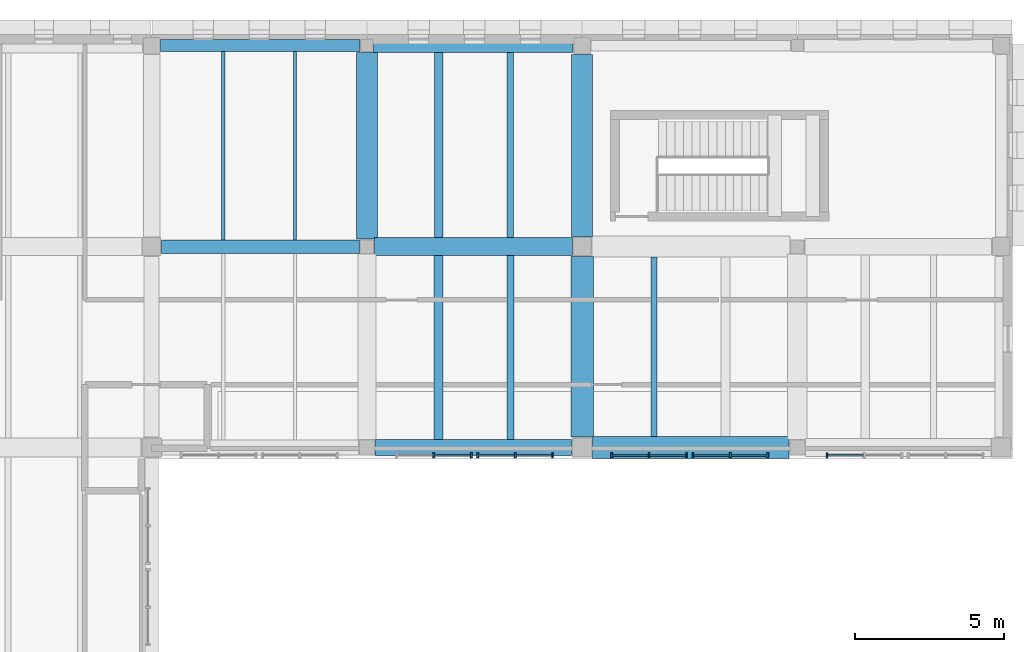
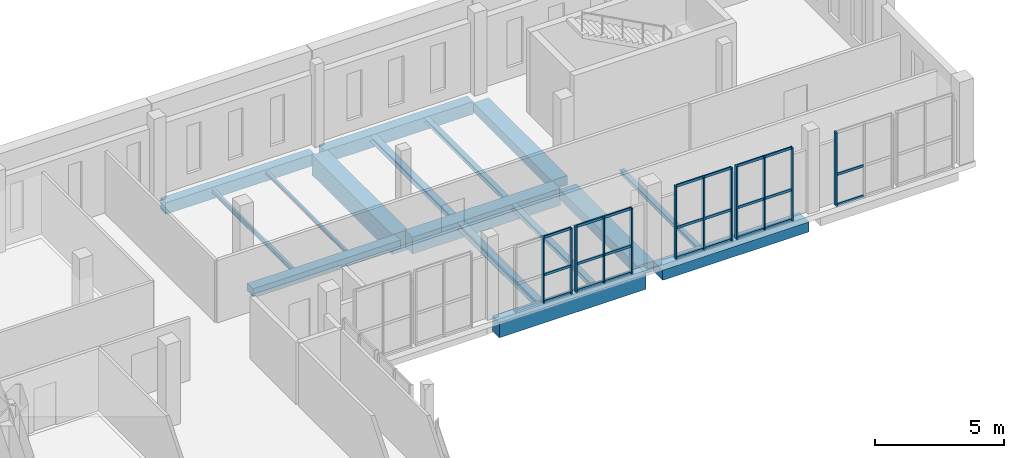
# One storey, part 26 of 76: 35 members, 16 beams, 5 elements without a shape of their own.
"""IFC4 building model written with IfcOpenShell, lengths in metres."""

from ifc_helpers import new_model, si_unit, direction, frame, origin, origin_2d, place, context, subcontext, project, spatial, rectangle, i_section, extrude, material, layer, layer_set, material_profile, profile_set, type_object, element, aggregate, save


model = new_model("IFC4")

# Units and contexts
model_context = context("Model", 3, precision=1e-05, world=origin(), true_north=direction((0.0, 1.0)))
body_context = subcontext(model_context, "Body", "Model", "MODEL_VIEW")
ifc_project = project(units=[si_unit("LENGTHUNIT", "METRE"), si_unit("AREAUNIT", "SQUARE_METRE"), si_unit("VOLUMEUNIT", "CUBIC_METRE"), si_unit("PLANEANGLEUNIT", "RADIAN"), si_unit("MASSUNIT", "GRAM", prefix="KILO")], contexts=[model_context])

# Site, building, storey
site_placement = place(None, origin())
site = spatial("IfcSite", under=ifc_project, at=site_placement, CompositionType="ELEMENT")
building_placement = place(site_placement, origin())
building = spatial("IfcBuilding", under=site, at=building_placement, Name="Vardoun Plaza Health Centre", CompositionType="ELEMENT")
storey_placement = place(building_placement, frame((0.0, 0.0, 4.5)))
storey = spatial("IfcBuildingStorey", under=building, at=storey_placement, Name="L01", CompositionType="ELEMENT", Elevation=4.5)

# Beams
ifc_material_1 = material(Name="Concrete C35/45", Category="concrete")
ifc_material_profile_1 = material_profile(ifc_material_1, rectangle(XDim=0.39990234375, YDim=0.550048828125, at=origin_2d()), Name="RC-BM 400x550")
ifc_profile_set_1 = profile_set([ifc_material_profile_1], Name="Concrete C35/45")
beam_type_1 = type_object("IfcBeamType", Name="B-09", PredefinedType="SPANDREL", material=ifc_profile_set_1)
beam_1_placement = place(storey_placement, frame((19.199951171875, 114.919921875, -0.5400390625), z_axis=(1.0, 0.0, 0.0), x_axis=(0.0, 1.0, 0.0)))
element("IfcBeam", 1, at=beam_1_placement, inside=storey, type_object=beam_type_1, Name="V3 L01 Beam B-V3-L01-X15", PredefinedType="SPANDREL", context=body_context, shape_type="SweptSolid", body=[
    extrude(rectangle(XDim=0.39990234375, YDim=0.550048828125, at=origin_2d()), origin(), (0.0, 0.0, 1.0), 6.675048828125),
])
ifc_material_2 = material(Name="Concrete C35/45", Category="concrete")
ifc_material_profile_2 = material_profile(ifc_material_2, rectangle(XDim=0.449951171875, YDim=0.3798828125, at=origin_2d()), Name="RC-BM 450x380")
ifc_profile_set_2 = profile_set([ifc_material_profile_2], Name="Concrete C35/45")
beam_type_2 = type_object("IfcBeamType", Name="B-01", PredefinedType="BEAM", material=ifc_profile_set_2)
beam_2_placement = place(storey_placement, frame((19.22509765625, 108.199951171875, -0.455078125), z_axis=(1.0, 0.0, 0.0), x_axis=(0.0, 1.0, 0.0)))
element("IfcBeam", 2, at=beam_2_placement, inside=storey, type_object=beam_type_2, Name="V3 L01 Beam B-V3-L01-X14", PredefinedType="BEAM", context=body_context, shape_type="SweptSolid", body=[
    extrude(rectangle(XDim=0.449951171875, YDim=0.3798828125, at=origin_2d()), origin(), (0.0, 0.0, 1.0), 6.625),
])
ifc_material_3 = material(Name="Concrete C35/45", Category="concrete")
ifc_material_profile_3 = material_profile(ifc_material_3, rectangle(XDim=0.449951171875, YDim=0.60009765625, at=origin_2d()), Name="RC-BM 450x600")
ifc_profile_set_3 = profile_set([ifc_material_profile_3], Name="Concrete C35/45")
beam_type_3 = type_object("IfcBeamType", Name="B-11", PredefinedType="SPANDREL", material=ifc_profile_set_3)
beam_3_placement = place(storey_placement, frame((26.324951171875, 114.919921875, -0.56494140625), z_axis=(1.0, 0.0, 0.0), x_axis=(0.0, 1.0, 0.0)))
element("IfcBeam", 3, at=beam_3_placement, inside=storey, type_object=beam_type_3, Name="V3 L01 Beam B-V3-L01-X18", PredefinedType="SPANDREL", context=body_context, shape_type="SweptSolid", body=[
    extrude(rectangle(XDim=0.449951171875, YDim=0.60009765625, at=origin_2d()), origin(), (0.0, 0.0, 1.0), 6.675048828125),
])
ifc_material_4 = material(Name="Concrete C40/50", Category="concrete")
ifc_material_profile_4 = material_profile(ifc_material_4, rectangle(XDim=0.550048828125, YDim=0.719970703125, at=origin_2d()), Name="RC-BM 550x720")
ifc_profile_set_4 = profile_set([ifc_material_profile_4], Name="Concrete C40/50")
beam_type_4 = type_object("IfcBeamType", Name="B-14", PredefinedType="BEAM", material=ifc_profile_set_4)
beam_4_placement = place(storey_placement, frame((26.375, 101.47998046875, -0.625), z_axis=(1.0, 0.0, 0.0), x_axis=(0.0, 1.0, 0.0)))
element("IfcBeam", 4, at=beam_4_placement, inside=storey, type_object=beam_type_4, Name="V3 L01 Beam B-V3-L01-X16", PredefinedType="BEAM", context=body_context, shape_type="SweptSolid", body=[
    extrude(rectangle(XDim=0.550048828125, YDim=0.719970703125, at=origin_2d()), origin(), (0.0, 0.0, 1.0), 6.574951171875),
])
ifc_material_5 = material(Name="Concrete C40/50", Category="concrete")
ifc_material_profile_5 = material_profile(ifc_material_5, rectangle(XDim=0.60009765625, YDim=0.800048828125, at=origin_2d()), Name="RC-BM 600x800")
ifc_profile_set_5 = profile_set([ifc_material_profile_5], Name="Concrete C40/50")
beam_type_5 = type_object("IfcBeamType", Name="B-15", PredefinedType="JOIST", material=ifc_profile_set_5)
beam_5_placement = place(storey_placement, frame((26.35009765625, 108.199951171875, -0.6650390625), z_axis=(1.0, 0.0, 0.0), x_axis=(0.0, 1.0, 0.0)))
element("IfcBeam", 5, at=beam_5_placement, inside=storey, type_object=beam_type_5, Name="V3 L01 Beam B-V3-L01-X17", PredefinedType="JOIST", context=body_context, shape_type="SweptSolid", body=[
    extrude(rectangle(XDim=0.60009765625, YDim=0.800048828125, at=origin_2d()), origin(), (0.0, 0.0, 1.0), 6.625),
])
ifc_material_6 = material(Name="Concrete C35/45", Category="concrete")
ifc_material_profile_6 = material_profile(ifc_material_6, rectangle(XDim=0.699951171875, YDim=0.449951171875, at=origin_2d()), Name="RC-BM 700x450")
ifc_profile_set_6 = profile_set([ifc_material_profile_6], Name="Concrete C35/45")
beam_type_6 = type_object("IfcBeamType", Name="B-06", PredefinedType="BEAM", material=ifc_profile_set_6)
beam_6_placement = place(storey_placement, frame((33.300048828125, 108.525146484375, -0.489990234375), z_axis=(0.0, 1.0, 0.0), x_axis=(-1.0, 0.0, 0.0)))
element("IfcBeam", 6, at=beam_6_placement, inside=storey, type_object=beam_type_6, Name="V3 L01 Beam B-V3-L01-Y42", PredefinedType="BEAM", context=body_context, shape_type="SweptSolid", body=[
    extrude(rectangle(XDim=0.699951171875, YDim=0.449951171875, at=origin_2d()), origin(), (0.0, 0.0, 1.0), 6.094970703125),
])
ifc_material_7 = material(Name="Concrete C40/50", Category="concrete")
ifc_material_profile_7 = material_profile(ifc_material_7, rectangle(XDim=0.699951171875, YDim=0.949951171875, at=origin_2d()), Name="RC-BM 700x950")
ifc_profile_set_7 = profile_set([ifc_material_profile_7], Name="Concrete C40/50")
beam_type_7 = type_object("IfcBeamType", Name="B-16", PredefinedType="LINTEL", material=ifc_profile_set_7)
beam_7_placement = place(storey_placement, frame((26.10009765625, 108.449951171875, -0.739990234375), z_axis=(0.0, 1.0, 0.0), x_axis=(-1.0, 0.0, 0.0)))
element("IfcBeam", 7, at=beam_7_placement, inside=storey, type_object=beam_type_7, Name="V3 L01 Beam B-V3-L01-Y40", PredefinedType="LINTEL", context=body_context, shape_type="SweptSolid", body=[
    extrude(rectangle(XDim=0.699951171875, YDim=0.949951171875, at=origin_2d()), origin(), (0.0, 0.0, 1.0), 6.2451171875),
])
ifc_material_8 = material(Name="Concrete C35/45", Category="concrete")
ifc_material_profile_8 = material_profile(ifc_material_8, rectangle(XDim=0.75, YDim=0.47998046875, at=origin_2d()), Name="RC-BM 750x480")
ifc_profile_set_8 = profile_set([ifc_material_profile_8], Name="Concrete C35/45")
beam_type_8 = type_object("IfcBeamType", Name="B-07", PredefinedType="BEAM", material=ifc_profile_set_8)
beam_8_placement = place(storey_placement, frame((33.650146484375, 101.47998046875, -0.5048828125), z_axis=(1.0, 0.0, 0.0), x_axis=(0.0, 1.0, 0.0)))
element("IfcBeam", 8, at=beam_8_placement, inside=storey, type_object=beam_type_8, Name="V3 L01 Beam B-V3-L01-X19", PredefinedType="BEAM", context=body_context, shape_type="SweptSolid", body=[
    extrude(rectangle(XDim=0.75, YDim=0.47998046875, at=origin_2d()), origin(), (0.0, 0.0, 1.0), 6.574951171875),
])
beam_9_placement = place(storey_placement, frame((33.300048828125, 101.830078125, -0.5048828125), z_axis=(0.0, 1.0, 0.0), x_axis=(-1.0, 0.0, 0.0)))
element("IfcBeam", 9, at=beam_9_placement, inside=storey, type_object=beam_type_8, Name="V3 L01 Beam B-V3-L01-Y41", PredefinedType="BEAM", context=body_context, shape_type="SweptSolid", body=[
    extrude(rectangle(XDim=0.75, YDim=0.47998046875, at=origin_2d()), origin(), (0.0, 0.0, 1.0), 6.044921875),
])
ifc_material_9 = material(Name="Steel S355J2", Category="steel")
ifc_material_profile_9 = material_profile(ifc_material_9, i_section(OverallWidth=0.199951171875, OverallDepth=0.18994140625, WebThickness=0.006591796875, FlangeThickness=0.010009765625, FilletRadius=0.01806640625, at=origin_2d()), Name="HEA 200")
ifc_profile_set_9 = profile_set([ifc_material_profile_9], Name="Steel S355J2")
beam_type_9 = type_object("IfcBeamType", Name="SB-09", PredefinedType="BEAM", material=ifc_profile_set_9)
beam_10_placement = place(storey_placement, frame((35.69970703125, 101.85498046875, -0.360107421875), z_axis=(0.0, 1.0, 0.0), x_axis=(-1.0, 0.0, 0.0)))
element("IfcBeam", 10, at=beam_10_placement, inside=storey, type_object=beam_type_9, Name="V3 L01 Secondary Floor Beam SJ-V3-L01-25", PredefinedType="BEAM", context=body_context, shape_type="SweptSolid", body=[
    extrude(i_section(OverallWidth=0.199951171875, OverallDepth=0.18994140625, WebThickness=0.006591796875, FlangeThickness=0.010009765625, FilletRadius=0.01806640625, at=origin_2d()), origin(), (0.0, 0.0, 1.0), 5.9951171875),
])
ifc_material_10 = material(Name="Steel S355J2", Category="steel")
ifc_material_profile_10 = material_profile(ifc_material_10, i_section(OverallWidth=0.219970703125, OverallDepth=0.2099609375, WebThickness=0.007080078125, FlangeThickness=0.010986328125, FilletRadius=0.01806640625, at=origin_2d()), Name="HEA 220")
ifc_profile_set_10 = profile_set([ifc_material_profile_10], Name="Steel S355J2")
beam_type_10 = type_object("IfcBeamType", Name="SB-08", PredefinedType="BEAM", material=ifc_profile_set_10)
beam_11_placement = place(storey_placement, frame((30.900146484375, 108.5, -0.3701171875), z_axis=(0.0, 1.0, 0.0), x_axis=(-1.0, 0.0, 0.0)))
element("IfcBeam", 11, at=beam_11_placement, inside=storey, type_object=beam_type_10, Name="V3 L01 Secondary Floor Beam SJ-V3-L01-24", PredefinedType="BEAM", context=body_context, shape_type="SweptSolid", body=[
    extrude(i_section(OverallWidth=0.219970703125, OverallDepth=0.2099609375, WebThickness=0.007080078125, FlangeThickness=0.010986328125, FilletRadius=0.01806640625, at=origin_2d()), origin(), (0.0, 0.0, 1.0), 6.195068359375),
])
ifc_material_11 = material(Name="Steel S355J2", Category="steel")
ifc_material_profile_11 = material_profile(ifc_material_11, i_section(OverallWidth=0.239990234375, OverallDepth=0.22998046875, WebThickness=0.007568359375, FlangeThickness=0.011962890625, FilletRadius=0.02099609375, at=origin_2d()), Name="HEA 240")
ifc_profile_set_11 = profile_set([ifc_material_profile_11], Name="Steel S355J2")
beam_type_11 = type_object("IfcBeamType", Name="SB-07", PredefinedType="BEAM", material=ifc_profile_set_11)
beam_12_placement = place(storey_placement, frame((30.900146484375, 101.7548828125, -0.3798828125), z_axis=(0.0, 1.0, 0.0), x_axis=(-1.0, 0.0, 0.0)))
element("IfcBeam", 12, at=beam_12_placement, inside=storey, type_object=beam_type_11, Name="V3 L01 Secondary Floor Beam SJ-V3-L01-23", PredefinedType="BEAM", context=body_context, shape_type="SweptSolid", body=[
    extrude(i_section(OverallWidth=0.239990234375, OverallDepth=0.22998046875, WebThickness=0.007568359375, FlangeThickness=0.011962890625, FilletRadius=0.02099609375, at=origin_2d()), origin(), (0.0, 0.0, 1.0), 6.145263671875),
])
ifc_material_12 = material(Name="Steel S355J2", Category="steel")
ifc_material_profile_12 = material_profile(ifc_material_12, i_section(OverallWidth=0.280029296875, OverallDepth=0.27001953125, WebThickness=0.008056640625, FlangeThickness=0.012939453125, FilletRadius=0.02392578125, at=origin_2d()), Name="HEA 280")
ifc_profile_set_12 = profile_set([ifc_material_profile_12], Name="Steel S355J2")
beam_type_12 = type_object("IfcBeamType", Name="SB-06", PredefinedType="BEAM", material=ifc_profile_set_12)
beam_13_placement = place(storey_placement, frame((28.499755859375, 108.5, -0.39990234375), z_axis=(0.0, 1.0, 0.0), x_axis=(-1.0, 0.0, 0.0)))
element("IfcBeam", 13, at=beam_13_placement, inside=storey, type_object=beam_type_12, Name="V3 L01 Secondary Floor Beam SJ-V3-L01-22", PredefinedType="BEAM", context=body_context, shape_type="SweptSolid", body=[
    extrude(i_section(OverallWidth=0.280029296875, OverallDepth=0.27001953125, WebThickness=0.008056640625, FlangeThickness=0.012939453125, FilletRadius=0.02392578125, at=origin_2d()), origin(), (0.0, 0.0, 1.0), 6.195068359375),
])
ifc_material_13 = material(Name="Steel S355J2", Category="steel")
ifc_material_profile_13 = material_profile(ifc_material_13, i_section(OverallWidth=0.300048828125, OverallDepth=0.330078125, WebThickness=0.009521484375, FlangeThickness=0.0166015625, FilletRadius=0.027099609375, at=origin_2d()), Name="HEA 340")
ifc_profile_set_13 = profile_set([ifc_material_profile_13], Name="Steel S355J2")
beam_type_13 = type_object("IfcBeamType", Name="SB-04", PredefinedType="BEAM", material=ifc_profile_set_13)
beam_14_placement = place(storey_placement, frame((28.499755859375, 101.7548828125, -0.429931640625), z_axis=(0.0, 1.0, 0.0), x_axis=(-1.0, 0.0, 0.0)))
element("IfcBeam", 14, at=beam_14_placement, inside=storey, type_object=beam_type_13, Name="V3 L01 Secondary Floor Beam SJ-V3-L01-21", PredefinedType="BEAM", context=body_context, shape_type="SweptSolid", body=[
    extrude(i_section(OverallWidth=0.300048828125, OverallDepth=0.330078125, WebThickness=0.009521484375, FlangeThickness=0.0166015625, FilletRadius=0.027099609375, at=origin_2d()), origin(), (0.0, 0.0, 1.0), 6.145263671875),
])
ifc_material_14 = material(Name="Steel S355J2", Category="steel")
ifc_material_profile_14 = material_profile(ifc_material_14, i_section(OverallWidth=0.091064453125, OverallDepth=0.179931640625, WebThickness=0.00537109375, FlangeThickness=0.008056640625, FilletRadius=0.009033203125, at=origin_2d()), Name="IPE 180")
ifc_profile_set_14 = profile_set([ifc_material_profile_14], Name="Steel S355J2")
beam_type_14 = type_object("IfcBeamType", Name="SB-20", PredefinedType="SPANDREL", material=ifc_profile_set_14)
beam_15_placement = place(storey_placement, frame((23.7001953125, 108.425048828125, -0.35498046875), z_axis=(0.0, 1.0, 0.0), x_axis=(-1.0, 0.0, 0.0)))
element("IfcBeam", 15, at=beam_15_placement, inside=storey, type_object=beam_type_14, Name="V3 L01 Secondary Floor Beam SJ-V3-L01-20", PredefinedType="SPANDREL", context=body_context, shape_type="SweptSolid", body=[
    extrude(i_section(OverallWidth=0.091064453125, OverallDepth=0.179931640625, WebThickness=0.00537109375, FlangeThickness=0.008056640625, FilletRadius=0.009033203125, at=origin_2d()), origin(), (0.0, 0.0, 1.0), 6.294921875),
])
ifc_material_15 = material(Name="Steel S355J2", Category="steel")
ifc_material_profile_15 = material_profile(ifc_material_15, i_section(OverallWidth=0.110107421875, OverallDepth=0.219970703125, WebThickness=0.005859375, FlangeThickness=0.00927734375, FilletRadius=0.011962890625, at=origin_2d()), Name="IPE 220")
ifc_profile_set_15 = profile_set([ifc_material_profile_15], Name="Steel S355J2")
beam_type_15 = type_object("IfcBeamType", Name="SB-18", PredefinedType="JOIST", material=ifc_profile_set_15)
beam_16_placement = place(storey_placement, frame((21.2998046875, 108.425048828125, -0.375), z_axis=(0.0, 1.0, 0.0), x_axis=(-1.0, 0.0, 0.0)))
element("IfcBeam", 16, at=beam_16_placement, inside=storey, type_object=beam_type_15, Name="V3 L01 Secondary Floor Beam SJ-V3-L01-18", PredefinedType="JOIST", context=body_context, shape_type="SweptSolid", body=[
    extrude(i_section(OverallWidth=0.110107421875, OverallDepth=0.219970703125, WebThickness=0.005859375, FlangeThickness=0.00927734375, FilletRadius=0.011962890625, at=origin_2d()), origin(), (0.0, 0.0, 1.0), 6.294921875),
])

# Curtain wall, member
ifc_material_16 = material(Name="Aluminium Alloy EN AW-6063-T6 and Low-E Glass", Category="aluminium")
ifc_layer = layer(ifc_material_16, 0.159912109375)
ifc_layer_set = layer_set([ifc_layer], Name="Aluminium Alloy EN AW-6063-T6 and Low-E Glass")
curtain_wall_type = type_object("IfcCurtainWallType", Name="CW-02", PredefinedType="USERDEFINED", material=ifc_layer_set)
curtain_wall_1_placement = place(storey_placement, origin())
curtain_wall_1 = element("IfcCurtainWall", 17, at=curtain_wall_1_placement, inside=storey, type_object=curtain_wall_type, Name="Curtain Wall CW-V3-060", ObjectType="COURTYARD_CURTAIN_WALL", PredefinedType="USERDEFINED")
ifc_material_17 = material(Name="Aluminium Alloy EN AW-6063-T6", Category="aluminium")
ifc_material_profile_16 = material_profile(ifc_material_17, rectangle(XDim=0.159912109375, YDim=0.06005859375, at=origin_2d()), Name="CWM 60x160")
ifc_profile_set_16 = profile_set([ifc_material_profile_16], Name="Aluminium Alloy EN AW-6063-T6")
member_type_1 = type_object("IfcMemberType", Name="CW-M1", PredefinedType="MULLION", material=ifc_profile_set_16)
member_1_placement = place(storey_placement, frame((41.489990234375, 101.219970703125, 0.0), z_axis=(0.0, 0.0, 1.0), x_axis=(0.0, -1.0, 0.0)))
member_1 = element("IfcMember", 18, at=member_1_placement, type_object=member_type_1, Name="CW-V3-060 mullion 3", PredefinedType="MULLION", context=body_context, shape_type="SweptSolid", body=[
    extrude(rectangle(XDim=0.159912109375, YDim=0.06005859375, at=origin_2d()), origin(), (0.0, 0.0, 1.0), 3.5),
])

# Curtain wall, members
curtain_wall_2_placement = place(storey_placement, origin())
curtain_wall_2 = element("IfcCurtainWall", 19, at=curtain_wall_2_placement, inside=storey, type_object=curtain_wall_type, Name="Curtain Wall CW-V3-061", ObjectType="COURTYARD_CURTAIN_WALL", PredefinedType="USERDEFINED")
member_2_placement = place(storey_placement, frame((39.510009765625, 101.219970703125, 0.0), z_axis=(0.0, 0.0, 1.0), x_axis=(0.0, -1.0, 0.0)))
member_2 = element("IfcMember", 20, at=member_2_placement, type_object=member_type_1, Name="CW-V3-061 mullion 1", PredefinedType="MULLION", context=body_context, shape_type="SweptSolid", body=[
    extrude(rectangle(XDim=0.159912109375, YDim=0.06005859375, at=origin_2d()), origin(), (0.0, 0.0, 1.0), 3.469970703125),
])
member_3_placement = place(storey_placement, frame((38.260009765625, 101.219970703125, 0.0), z_axis=(0.0, 0.0, 1.0), x_axis=(0.0, -1.0, 0.0)))
member_3 = element("IfcMember", 21, at=member_3_placement, type_object=member_type_1, Name="CW-V3-061 mullion 2", PredefinedType="MULLION", context=body_context, shape_type="SweptSolid", body=[
    extrude(rectangle(XDim=0.159912109375, YDim=0.06005859375, at=origin_2d()), origin(), (0.0, 0.0, 1.0), 3.469970703125),
])
member_4_placement = place(storey_placement, frame((37.010009765625, 101.219970703125, 0.0), z_axis=(0.0, 0.0, 1.0), x_axis=(0.0, -1.0, 0.0)))
member_4 = element("IfcMember", 22, at=member_4_placement, type_object=member_type_1, Name="CW-V3-061 mullion 3", PredefinedType="MULLION", context=body_context, shape_type="SweptSolid", body=[
    extrude(rectangle(XDim=0.159912109375, YDim=0.06005859375, at=origin_2d()), origin(), (0.0, 0.0, 1.0), 3.469970703125),
])

curtain_wall_3_placement = place(storey_placement, origin())
curtain_wall_3 = element("IfcCurtainWall", 23, at=curtain_wall_3_placement, inside=storey, type_object=curtain_wall_type, Name="Curtain Wall CW-V3-062", ObjectType="COURTYARD_CURTAIN_WALL", PredefinedType="USERDEFINED")
member_5_placement = place(storey_placement, frame((36.7900390625, 101.219970703125, 0.0), z_axis=(0.0, 0.0, 1.0), x_axis=(0.0, -1.0, 0.0)))
member_5 = element("IfcMember", 24, at=member_5_placement, type_object=member_type_1, Name="CW-V3-062 mullion 1", PredefinedType="MULLION", context=body_context, shape_type="SweptSolid", body=[
    extrude(rectangle(XDim=0.159912109375, YDim=0.06005859375, at=origin_2d()), origin(), (0.0, 0.0, 1.0), 3.469970703125),
])
member_6_placement = place(storey_placement, frame((35.5400390625, 101.219970703125, 0.0), z_axis=(0.0, 0.0, 1.0), x_axis=(0.0, -1.0, 0.0)))
member_6 = element("IfcMember", 25, at=member_6_placement, type_object=member_type_1, Name="CW-V3-062 mullion 2", PredefinedType="MULLION", context=body_context, shape_type="SweptSolid", body=[
    extrude(rectangle(XDim=0.159912109375, YDim=0.06005859375, at=origin_2d()), origin(), (0.0, 0.0, 1.0), 3.469970703125),
])
member_7_placement = place(storey_placement, frame((34.2900390625, 101.219970703125, 0.0), z_axis=(0.0, 0.0, 1.0), x_axis=(0.0, -1.0, 0.0)))
member_7 = element("IfcMember", 26, at=member_7_placement, type_object=member_type_1, Name="CW-V3-062 mullion 3", PredefinedType="MULLION", context=body_context, shape_type="SweptSolid", body=[
    extrude(rectangle(XDim=0.159912109375, YDim=0.06005859375, at=origin_2d()), origin(), (0.0, 0.0, 1.0), 3.469970703125),
])

curtain_wall_4_placement = place(storey_placement, origin())
curtain_wall_4 = element("IfcCurtainWall", 27, at=curtain_wall_4_placement, inside=storey, type_object=curtain_wall_type, Name="Curtain Wall CW-V3-063", ObjectType="COURTYARD_CURTAIN_WALL", PredefinedType="USERDEFINED")
member_8_placement = place(storey_placement, frame((32.31005859375, 101.219970703125, 0.0), z_axis=(0.0, 0.0, 1.0), x_axis=(0.0, -1.0, 0.0)))
member_8 = element("IfcMember", 28, at=member_8_placement, type_object=member_type_1, Name="CW-V3-063 mullion 1", PredefinedType="MULLION", context=body_context, shape_type="SweptSolid", body=[
    extrude(rectangle(XDim=0.159912109375, YDim=0.06005859375, at=origin_2d()), origin(), (0.0, 0.0, 1.0), 3.1201171875),
])
member_9_placement = place(storey_placement, frame((31.06005859375, 101.219970703125, 0.0), z_axis=(0.0, 0.0, 1.0), x_axis=(0.0, -1.0, 0.0)))
member_9 = element("IfcMember", 29, at=member_9_placement, type_object=member_type_1, Name="CW-V3-063 mullion 2", PredefinedType="MULLION", context=body_context, shape_type="SweptSolid", body=[
    extrude(rectangle(XDim=0.159912109375, YDim=0.06005859375, at=origin_2d()), origin(), (0.0, 0.0, 1.0), 3.1201171875),
])
member_10_placement = place(storey_placement, frame((29.81005859375, 101.219970703125, 0.0), z_axis=(0.0, 0.0, 1.0), x_axis=(0.0, -1.0, 0.0)))
member_10 = element("IfcMember", 30, at=member_10_placement, type_object=member_type_1, Name="CW-V3-063 mullion 3", PredefinedType="MULLION", context=body_context, shape_type="SweptSolid", body=[
    extrude(rectangle(XDim=0.159912109375, YDim=0.06005859375, at=origin_2d()), origin(), (0.0, 0.0, 1.0), 3.1201171875),
])

curtain_wall_5_placement = place(storey_placement, origin())
curtain_wall_5 = element("IfcCurtainWall", 31, at=curtain_wall_5_placement, inside=storey, type_object=curtain_wall_type, Name="Curtain Wall CW-V3-064", ObjectType="COURTYARD_CURTAIN_WALL", PredefinedType="USERDEFINED")
member_11_placement = place(storey_placement, frame((29.590087890625, 101.219970703125, 0.0), z_axis=(0.0, 0.0, 1.0), x_axis=(0.0, -1.0, 0.0)))
member_11 = element("IfcMember", 32, at=member_11_placement, type_object=member_type_1, Name="CW-V3-064 mullion 1", PredefinedType="MULLION", context=body_context, shape_type="SweptSolid", body=[
    extrude(rectangle(XDim=0.159912109375, YDim=0.06005859375, at=origin_2d()), origin(), (0.0, 0.0, 1.0), 3.1201171875),
])
member_12_placement = place(storey_placement, frame((28.340087890625, 101.219970703125, 0.0), z_axis=(0.0, 0.0, 1.0), x_axis=(0.0, -1.0, 0.0)))
member_12 = element("IfcMember", 33, at=member_12_placement, type_object=member_type_1, Name="CW-V3-064 mullion 2", PredefinedType="MULLION", context=body_context, shape_type="SweptSolid", body=[
    extrude(rectangle(XDim=0.159912109375, YDim=0.06005859375, at=origin_2d()), origin(), (0.0, 0.0, 1.0), 3.1201171875),
])

# Member
ifc_material_18 = material(Name="Aluminium Alloy EN AW-6063-T6", Category="aluminium")
ifc_material_profile_17 = material_profile(ifc_material_18, rectangle(XDim=0.06005859375, YDim=0.1201171875, at=origin_2d()), Name="CWT 60x120")
ifc_profile_set_17 = profile_set([ifc_material_profile_17], Name="Aluminium Alloy EN AW-6063-T6")
member_type_2 = type_object("IfcMemberType", Name="CW-T1", PredefinedType="USERDEFINED", material=ifc_profile_set_17)
member_13_placement = place(storey_placement, frame((42.7099609375, 101.219970703125, 0.030029296875), z_axis=(-1.0, 0.0, 0.0), x_axis=(0.0, -1.0, 0.0)))
member_13 = element("IfcMember", 34, at=member_13_placement, type_object=member_type_2, Name="CW-V3-060 transom 2.1", ObjectType="TRANSOM", PredefinedType="USERDEFINED", context=body_context, shape_type="SweptSolid", body=[
    extrude(rectangle(XDim=0.06005859375, YDim=0.1201171875, at=origin_2d()), origin(), (0.0, 0.0, 1.0), 1.18994140625),
])

member_14_placement = place(storey_placement, frame((42.7099609375, 101.219970703125, 1.469970703125), z_axis=(-1.0, 0.0, 0.0), x_axis=(0.0, -1.0, 0.0)))
member_14 = element("IfcMember", 35, at=member_14_placement, type_object=member_type_2, Name="CW-V3-060 transom 2.2", ObjectType="TRANSOM", PredefinedType="USERDEFINED", context=body_context, shape_type="SweptSolid", body=[
    extrude(rectangle(XDim=0.06005859375, YDim=0.1201171875, at=origin_2d()), origin(), (0.0, 0.0, 1.0), 1.18994140625),
])

aggregate(curtain_wall_1, [member_1, member_13, member_14])

member_15_placement = place(storey_placement, frame((39.47998046875, 101.219970703125, 0.030029296875), z_axis=(-1.0, 0.0, 0.0), x_axis=(0.0, -1.0, 0.0)))
member_15 = element("IfcMember", 36, at=member_15_placement, type_object=member_type_2, Name="CW-V3-061 transom 1.1", ObjectType="TRANSOM", PredefinedType="USERDEFINED", context=body_context, shape_type="SweptSolid", body=[
    extrude(rectangle(XDim=0.06005859375, YDim=0.1201171875, at=origin_2d()), origin(), (0.0, 0.0, 1.0), 1.18994140625),
])

member_16_placement = place(storey_placement, frame((39.47998046875, 101.219970703125, 1.45751953125), z_axis=(-1.0, 0.0, 0.0), x_axis=(0.0, -1.0, 0.0)))
member_16 = element("IfcMember", 37, at=member_16_placement, type_object=member_type_2, Name="CW-V3-061 transom 1.2", ObjectType="TRANSOM", PredefinedType="USERDEFINED", context=body_context, shape_type="SweptSolid", body=[
    extrude(rectangle(XDim=0.06005859375, YDim=0.1201171875, at=origin_2d()), origin(), (0.0, 0.0, 1.0), 1.18994140625),
])

member_17_placement = place(storey_placement, frame((39.47998046875, 101.219970703125, 3.43994140625), z_axis=(-1.0, 0.0, 0.0), x_axis=(0.0, -1.0, 0.0)))
member_17 = element("IfcMember", 38, at=member_17_placement, type_object=member_type_2, Name="CW-V3-061 transom 1.3", ObjectType="TRANSOM", PredefinedType="USERDEFINED", context=body_context, shape_type="SweptSolid", body=[
    extrude(rectangle(XDim=0.06005859375, YDim=0.1201171875, at=origin_2d()), origin(), (0.0, 0.0, 1.0), 1.18994140625),
])

member_18_placement = place(storey_placement, frame((38.22998046875, 101.219970703125, 0.030029296875), z_axis=(-1.0, 0.0, 0.0), x_axis=(0.0, -1.0, 0.0)))
member_18 = element("IfcMember", 39, at=member_18_placement, type_object=member_type_2, Name="CW-V3-061 transom 2.1", ObjectType="TRANSOM", PredefinedType="USERDEFINED", context=body_context, shape_type="SweptSolid", body=[
    extrude(rectangle(XDim=0.06005859375, YDim=0.1201171875, at=origin_2d()), origin(), (0.0, 0.0, 1.0), 1.18994140625),
])

member_19_placement = place(storey_placement, frame((38.22998046875, 101.219970703125, 1.45751953125), z_axis=(-1.0, 0.0, 0.0), x_axis=(0.0, -1.0, 0.0)))
member_19 = element("IfcMember", 40, at=member_19_placement, type_object=member_type_2, Name="CW-V3-061 transom 2.2", ObjectType="TRANSOM", PredefinedType="USERDEFINED", context=body_context, shape_type="SweptSolid", body=[
    extrude(rectangle(XDim=0.06005859375, YDim=0.1201171875, at=origin_2d()), origin(), (0.0, 0.0, 1.0), 1.18994140625),
])

member_20_placement = place(storey_placement, frame((38.22998046875, 101.219970703125, 3.43994140625), z_axis=(-1.0, 0.0, 0.0), x_axis=(0.0, -1.0, 0.0)))
member_20 = element("IfcMember", 41, at=member_20_placement, type_object=member_type_2, Name="CW-V3-061 transom 2.3", ObjectType="TRANSOM", PredefinedType="USERDEFINED", context=body_context, shape_type="SweptSolid", body=[
    extrude(rectangle(XDim=0.06005859375, YDim=0.1201171875, at=origin_2d()), origin(), (0.0, 0.0, 1.0), 1.18994140625),
])

aggregate(curtain_wall_2, [member_2, member_3, member_4, member_15, member_16, member_17, member_18, member_19, member_20])

member_21_placement = place(storey_placement, frame((36.760009765625, 101.219970703125, 0.030029296875), z_axis=(-1.0, 0.0, 0.0), x_axis=(0.0, -1.0, 0.0)))
member_21 = element("IfcMember", 42, at=member_21_placement, type_object=member_type_2, Name="CW-V3-062 transom 1.1", ObjectType="TRANSOM", PredefinedType="USERDEFINED", context=body_context, shape_type="SweptSolid", body=[
    extrude(rectangle(XDim=0.06005859375, YDim=0.1201171875, at=origin_2d()), origin(), (0.0, 0.0, 1.0), 1.18994140625),
])

member_22_placement = place(storey_placement, frame((36.760009765625, 101.219970703125, 1.45751953125), z_axis=(-1.0, 0.0, 0.0), x_axis=(0.0, -1.0, 0.0)))
member_22 = element("IfcMember", 43, at=member_22_placement, type_object=member_type_2, Name="CW-V3-062 transom 1.2", ObjectType="TRANSOM", PredefinedType="USERDEFINED", context=body_context, shape_type="SweptSolid", body=[
    extrude(rectangle(XDim=0.06005859375, YDim=0.1201171875, at=origin_2d()), origin(), (0.0, 0.0, 1.0), 1.18994140625),
])

member_23_placement = place(storey_placement, frame((36.760009765625, 101.219970703125, 3.43994140625), z_axis=(-1.0, 0.0, 0.0), x_axis=(0.0, -1.0, 0.0)))
member_23 = element("IfcMember", 44, at=member_23_placement, type_object=member_type_2, Name="CW-V3-062 transom 1.3", ObjectType="TRANSOM", PredefinedType="USERDEFINED", context=body_context, shape_type="SweptSolid", body=[
    extrude(rectangle(XDim=0.06005859375, YDim=0.1201171875, at=origin_2d()), origin(), (0.0, 0.0, 1.0), 1.18994140625),
])

member_24_placement = place(storey_placement, frame((35.510009765625, 101.219970703125, 0.030029296875), z_axis=(-1.0, 0.0, 0.0), x_axis=(0.0, -1.0, 0.0)))
member_24 = element("IfcMember", 45, at=member_24_placement, type_object=member_type_2, Name="CW-V3-062 transom 2.1", ObjectType="TRANSOM", PredefinedType="USERDEFINED", context=body_context, shape_type="SweptSolid", body=[
    extrude(rectangle(XDim=0.06005859375, YDim=0.1201171875, at=origin_2d()), origin(), (0.0, 0.0, 1.0), 1.18994140625),
])

member_25_placement = place(storey_placement, frame((35.510009765625, 101.219970703125, 1.45751953125), z_axis=(-1.0, 0.0, 0.0), x_axis=(0.0, -1.0, 0.0)))
member_25 = element("IfcMember", 46, at=member_25_placement, type_object=member_type_2, Name="CW-V3-062 transom 2.2", ObjectType="TRANSOM", PredefinedType="USERDEFINED", context=body_context, shape_type="SweptSolid", body=[
    extrude(rectangle(XDim=0.06005859375, YDim=0.1201171875, at=origin_2d()), origin(), (0.0, 0.0, 1.0), 1.18994140625),
])

member_26_placement = place(storey_placement, frame((35.510009765625, 101.219970703125, 3.43994140625), z_axis=(-1.0, 0.0, 0.0), x_axis=(0.0, -1.0, 0.0)))
member_26 = element("IfcMember", 47, at=member_26_placement, type_object=member_type_2, Name="CW-V3-062 transom 2.3", ObjectType="TRANSOM", PredefinedType="USERDEFINED", context=body_context, shape_type="SweptSolid", body=[
    extrude(rectangle(XDim=0.06005859375, YDim=0.1201171875, at=origin_2d()), origin(), (0.0, 0.0, 1.0), 1.18994140625),
])

aggregate(curtain_wall_3, [member_5, member_6, member_7, member_21, member_22, member_23, member_24, member_25, member_26])

member_27_placement = place(storey_placement, frame((32.280029296875, 101.219970703125, 0.030029296875), z_axis=(-1.0, 0.0, 0.0), x_axis=(0.0, -1.0, 0.0)))
member_27 = element("IfcMember", 48, at=member_27_placement, type_object=member_type_2, Name="CW-V3-063 transom 1.1", ObjectType="TRANSOM", PredefinedType="USERDEFINED", context=body_context, shape_type="SweptSolid", body=[
    extrude(rectangle(XDim=0.06005859375, YDim=0.1201171875, at=origin_2d()), origin(), (0.0, 0.0, 1.0), 1.18994140625),
])

member_28_placement = place(storey_placement, frame((32.280029296875, 101.219970703125, 1.310302734375), z_axis=(-1.0, 0.0, 0.0), x_axis=(0.0, -1.0, 0.0)))
member_28 = element("IfcMember", 49, at=member_28_placement, type_object=member_type_2, Name="CW-V3-063 transom 1.2", ObjectType="TRANSOM", PredefinedType="USERDEFINED", context=body_context, shape_type="SweptSolid", body=[
    extrude(rectangle(XDim=0.06005859375, YDim=0.1201171875, at=origin_2d()), origin(), (0.0, 0.0, 1.0), 1.18994140625),
])

member_29_placement = place(storey_placement, frame((32.280029296875, 101.219970703125, 3.090087890625), z_axis=(-1.0, 0.0, 0.0), x_axis=(0.0, -1.0, 0.0)))
member_29 = element("IfcMember", 50, at=member_29_placement, type_object=member_type_2, Name="CW-V3-063 transom 1.3", ObjectType="TRANSOM", PredefinedType="USERDEFINED", context=body_context, shape_type="SweptSolid", body=[
    extrude(rectangle(XDim=0.06005859375, YDim=0.1201171875, at=origin_2d()), origin(), (0.0, 0.0, 1.0), 1.18994140625),
])

member_30_placement = place(storey_placement, frame((31.030029296875, 101.219970703125, 0.030029296875), z_axis=(-1.0, 0.0, 0.0), x_axis=(0.0, -1.0, 0.0)))
member_30 = element("IfcMember", 51, at=member_30_placement, type_object=member_type_2, Name="CW-V3-063 transom 2.1", ObjectType="TRANSOM", PredefinedType="USERDEFINED", context=body_context, shape_type="SweptSolid", body=[
    extrude(rectangle(XDim=0.06005859375, YDim=0.1201171875, at=origin_2d()), origin(), (0.0, 0.0, 1.0), 1.18994140625),
])

member_31_placement = place(storey_placement, frame((31.030029296875, 101.219970703125, 1.310302734375), z_axis=(-1.0, 0.0, 0.0), x_axis=(0.0, -1.0, 0.0)))
member_31 = element("IfcMember", 52, at=member_31_placement, type_object=member_type_2, Name="CW-V3-063 transom 2.2", ObjectType="TRANSOM", PredefinedType="USERDEFINED", context=body_context, shape_type="SweptSolid", body=[
    extrude(rectangle(XDim=0.06005859375, YDim=0.1201171875, at=origin_2d()), origin(), (0.0, 0.0, 1.0), 1.18994140625),
])

member_32_placement = place(storey_placement, frame((31.030029296875, 101.219970703125, 3.090087890625), z_axis=(-1.0, 0.0, 0.0), x_axis=(0.0, -1.0, 0.0)))
member_32 = element("IfcMember", 53, at=member_32_placement, type_object=member_type_2, Name="CW-V3-063 transom 2.3", ObjectType="TRANSOM", PredefinedType="USERDEFINED", context=body_context, shape_type="SweptSolid", body=[
    extrude(rectangle(XDim=0.06005859375, YDim=0.1201171875, at=origin_2d()), origin(), (0.0, 0.0, 1.0), 1.18994140625),
])

aggregate(curtain_wall_4, [member_8, member_9, member_10, member_27, member_28, member_29, member_30, member_31, member_32])

member_33_placement = place(storey_placement, frame((29.56005859375, 101.219970703125, 0.030029296875), z_axis=(-1.0, 0.0, 0.0), x_axis=(0.0, -1.0, 0.0)))
member_33 = element("IfcMember", 54, at=member_33_placement, type_object=member_type_2, Name="CW-V3-064 transom 1.1", ObjectType="TRANSOM", PredefinedType="USERDEFINED", context=body_context, shape_type="SweptSolid", body=[
    extrude(rectangle(XDim=0.06005859375, YDim=0.1201171875, at=origin_2d()), origin(), (0.0, 0.0, 1.0), 1.18994140625),
])

member_34_placement = place(storey_placement, frame((29.56005859375, 101.219970703125, 1.310302734375), z_axis=(-1.0, 0.0, 0.0), x_axis=(0.0, -1.0, 0.0)))
member_34 = element("IfcMember", 55, at=member_34_placement, type_object=member_type_2, Name="CW-V3-064 transom 1.2", ObjectType="TRANSOM", PredefinedType="USERDEFINED", context=body_context, shape_type="SweptSolid", body=[
    extrude(rectangle(XDim=0.06005859375, YDim=0.1201171875, at=origin_2d()), origin(), (0.0, 0.0, 1.0), 1.18994140625),
])

member_35_placement = place(storey_placement, frame((29.56005859375, 101.219970703125, 3.090087890625), z_axis=(-1.0, 0.0, 0.0), x_axis=(0.0, -1.0, 0.0)))
member_35 = element("IfcMember", 56, at=member_35_placement, type_object=member_type_2, Name="CW-V3-064 transom 1.3", ObjectType="TRANSOM", PredefinedType="USERDEFINED", context=body_context, shape_type="SweptSolid", body=[
    extrude(rectangle(XDim=0.06005859375, YDim=0.1201171875, at=origin_2d()), origin(), (0.0, 0.0, 1.0), 1.18994140625),
])

aggregate(curtain_wall_5, [member_11, member_12, member_33, member_34, member_35])

save(model, "model.ifc")
